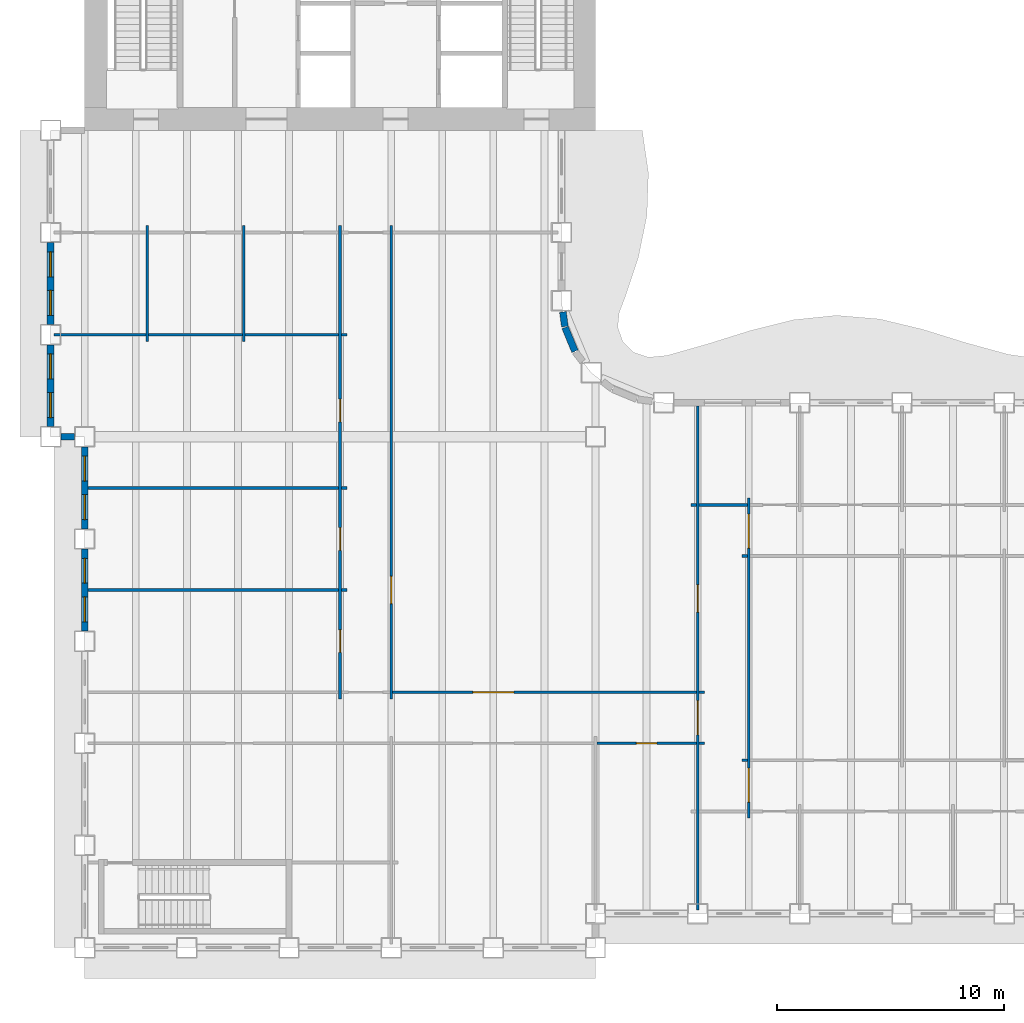
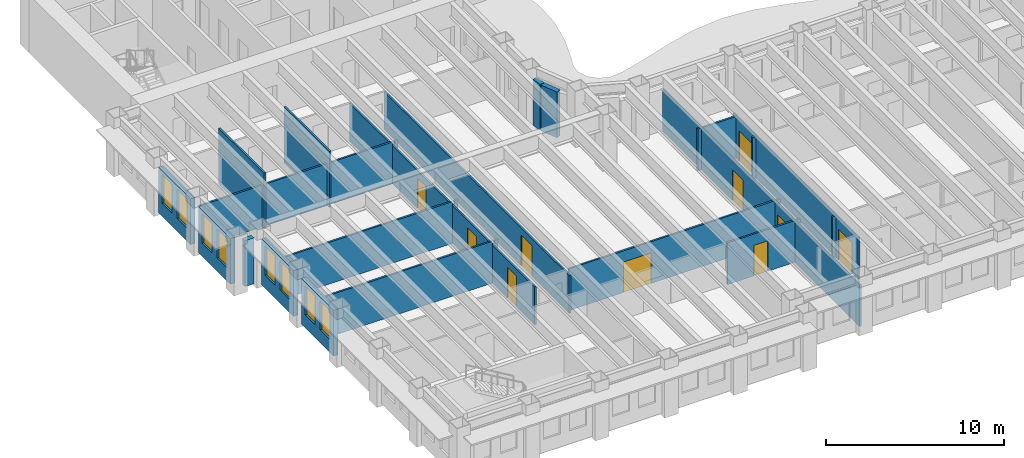
# One storey, part 4 of 16: 29 walls, 10 doors, 8 windows, 18 openings.
"""IFC4 building model written with IfcOpenShell, lengths in metres."""

from ifc_helpers import new_model, si_unit, direction, frame, frame_2d, origin, place, context, subcontext, project, spatial, rectangle, extrude, material, layer, layer_set, type_object, element, fill, save


model = new_model("IFC4")

# Units and contexts
model_context = context("Model", 3, precision=1e-05, world=origin(), true_north=direction((0.0, 1.0)))
body_context = subcontext(model_context, "Body", "Model", "MODEL_VIEW")
ifc_project = project(units=[si_unit("LENGTHUNIT", "METRE"), si_unit("AREAUNIT", "SQUARE_METRE"), si_unit("VOLUMEUNIT", "CUBIC_METRE"), si_unit("PLANEANGLEUNIT", "RADIAN"), si_unit("MASSUNIT", "GRAM", prefix="KILO")], contexts=[model_context])

# Site, building, storey
site_placement = place(None, origin())
site = spatial("IfcSite", under=ifc_project, at=site_placement, CompositionType="ELEMENT")
building_placement = place(site_placement, origin())
building = spatial("IfcBuilding", under=site, at=building_placement, Name="Sennacour Bend Tower", CompositionType="ELEMENT")
storey_placement = place(building_placement, frame((0.0, 0.0, 179.0)))
storey = spatial("IfcBuildingStorey", under=building, at=storey_placement, Name="L41", CompositionType="ELEMENT", Elevation=179.0)

# Walls
ifc_material_1 = material(Name="Plasterboard partition on steel studs", Category="steel")
ifc_layer_1 = layer(ifc_material_1, 0.1201171875, Name="Plasterboard partition on steel studs", Category="steel")
ifc_layer_set_1 = layer_set([ifc_layer_1], Name="Plasterboard partition on steel studs")
wall_type_1 = type_object("IfcWallType", Name="Partition 120", PredefinedType="PARTITIONING", material=ifc_layer_set_1)
for number, where, z_axis, x_axis, name in (
    (1, (2.75, 26.699951171875, 0.0), (0.0, 0.0, 1.0), (0.0, 1.0, 0.0), "P-L41-W005a"),
    (2, (7.0, 26.699951171875, 0.0), (0.0, 0.0, 1.0), (0.0, 1.0, 0.0), "P-L41-W009a"),
):
    element("IfcWall", number, at=place(storey_placement, frame(where, z_axis=z_axis, x_axis=x_axis)), inside=storey, type_object=wall_type_1, Name=name, PredefinedType="PARTITIONING", context=body_context, shape_type="SweptSolid", body=[
        extrude(rectangle(XDim=5.10009765625, YDim=0.1201171875, at=frame_2d((2.550048828125, 0.0))), origin(), (0.0, 0.0, 1.0), 3.85009765625),
    ])

# Wall, openings, doors
wall_1_placement = place(storey_placement, frame((11.25, 10.949951171875, 0.0), z_axis=(0.0, 0.0, 1.0), x_axis=(0.0, 1.0, 0.0)))
wall_1 = element("IfcWall", 3, at=wall_1_placement, inside=storey, type_object=wall_type_1, Name="P-L41-W013a", PredefinedType="PARTITIONING", context=body_context, shape_type="SweptSolid", body=[
    extrude(rectangle(XDim=20.85009765625, YDim=0.1201171875, at=frame_2d((10.425048828125, 0.0))), origin(), (0.0, 0.0, 1.0), 2.60009765625),
])
opening_1_placement = place(wall_1_placement, frame((2.050048828125, 0.0, 0.0)))
opening_1 = element("IfcOpeningElement", 4, at=opening_1_placement, cuts=wall_1, Name="Opening OD2", PredefinedType="OPENING", context=body_context, shape_type="SweptSolid", body=[
    extrude(rectangle(XDim=1.0, YDim=2.10009765625, at=frame_2d((0.5, 1.050048828125))), frame((0.0, 0.070068359375, 0.0), z_axis=(0.0, -1.0, 0.0), x_axis=(1.0, 0.0, 0.0)), (0.0, 0.0, 1.0), 0.14013671875),
])
opening_2_placement = place(wall_1_placement, frame((6.550048828125, 0.0, 0.0)))
opening_2 = element("IfcOpeningElement", 5, at=opening_2_placement, cuts=wall_1, Name="Opening OD2", PredefinedType="OPENING", context=body_context, shape_type="SweptSolid", body=[
    extrude(rectangle(XDim=1.0, YDim=2.10009765625, at=frame_2d((0.5, 1.050048828125))), frame((0.0, 0.070068359375, 0.0), z_axis=(0.0, -1.0, 0.0), x_axis=(1.0, 0.0, 0.0)), (0.0, 0.0, 1.0), 0.14013671875),
])
opening_3_placement = place(wall_1_placement, frame((12.205078125, 0.0, 0.0)))
opening_3 = element("IfcOpeningElement", 6, at=opening_3_placement, cuts=wall_1, Name="Opening OD2", PredefinedType="OPENING", context=body_context, shape_type="SweptSolid", body=[
    extrude(rectangle(XDim=1.0, YDim=2.10009765625, at=frame_2d((0.5, 1.050048828125))), frame((0.0, 0.070068359375, 0.0), z_axis=(0.0, -1.0, 0.0), x_axis=(1.0, 0.0, 0.0)), (0.0, 0.0, 1.0), 0.14013671875),
])
ifc_material_2 = material(Name="Timber", Category="wood")
door_type_1 = type_object("IfcDoorType", Name="DR-OFFICE-1000", OperationType="NOTDEFINED", PredefinedType="DOOR", material=ifc_material_2)
door_1_placement = place(opening_1_placement, origin())
door_1 = element("IfcDoor", 7, at=door_1_placement, inside=storey, type_object=door_type_1, Name="Door", OperationType="SINGLE_SWING_LEFT", OverallHeight=2.10009765625, OverallWidth=1.0, PredefinedType="DOOR", context=body_context, shape_type="SweptSolid", body=[
    extrude(rectangle(XDim=1.0, YDim=2.10009765625, at=frame_2d((0.5, 1.050048828125))), frame((0.0, 0.02490234375, 0.0), z_axis=(0.0, -1.0, 0.0), x_axis=(1.0, 0.0, 0.0)), (0.0, 0.0, 1.0), 0.050048828125),
])
fill(opening_1, door_1)
door_2_placement = place(opening_2_placement, origin())
door_2 = element("IfcDoor", 8, at=door_2_placement, inside=storey, type_object=door_type_1, Name="Door", OperationType="SINGLE_SWING_LEFT", OverallHeight=2.10009765625, OverallWidth=1.0, PredefinedType="DOOR", context=body_context, shape_type="SweptSolid", body=[
    extrude(rectangle(XDim=1.0, YDim=2.10009765625, at=frame_2d((0.5, 1.050048828125))), frame((0.0, 0.02490234375, 0.0), z_axis=(0.0, -1.0, 0.0), x_axis=(1.0, 0.0, 0.0)), (0.0, 0.0, 1.0), 0.050048828125),
])
fill(opening_2, door_2)
door_3_placement = place(opening_3_placement, origin())
door_3 = element("IfcDoor", 9, at=door_3_placement, inside=storey, type_object=door_type_1, Name="Door", OperationType="SINGLE_SWING_RIGHT", OverallHeight=2.10009765625, OverallWidth=1.0, PredefinedType="DOOR", context=body_context, shape_type="SweptSolid", body=[
    extrude(rectangle(XDim=1.0, YDim=2.10009765625, at=frame_2d((0.5, 1.050048828125))), frame((0.0, 0.02490234375, 0.0), z_axis=(0.0, -1.0, 0.0), x_axis=(1.0, 0.0, 0.0)), (0.0, 0.0, 1.0), 0.050048828125),
])
fill(opening_3, door_3)

# Wall, opening, door
wall_2_placement = place(storey_placement, frame((13.5, 10.949951171875, 0.0), z_axis=(0.0, 0.0, 1.0), x_axis=(0.0, 1.0, 0.0)))
wall_2 = element("IfcWall", 10, at=wall_2_placement, inside=storey, type_object=wall_type_1, Name="P-L41-W017a", PredefinedType="PARTITIONING", context=body_context, shape_type="SweptSolid", body=[
    extrude(rectangle(XDim=20.85009765625, YDim=0.1201171875, at=frame_2d((10.425048828125, 0.0))), origin(), (0.0, 0.0, 1.0), 2.60009765625),
])
opening_4_placement = place(wall_2_placement, frame((4.199951171875, 0.0, 0.0)))
opening_4 = element("IfcOpeningElement", 11, at=opening_4_placement, cuts=wall_2, Name="Opening OD", PredefinedType="OPENING", context=body_context, shape_type="SweptSolid", body=[
    extrude(rectangle(XDim=1.199951171875, YDim=2.10009765625, at=frame_2d((0.60009765625, 1.050048828125))), frame((0.0, 0.070068359375, 0.0), z_axis=(0.0, -1.0, 0.0), x_axis=(1.0, 0.0, 0.0)), (0.0, 0.0, 1.0), 0.14013671875),
])
door_type_2 = type_object("IfcDoorType", Name="DR-OFFICE-1200", OperationType="NOTDEFINED", PredefinedType="DOOR", material=ifc_material_2)
door_4_placement = place(opening_4_placement, origin())
door_4 = element("IfcDoor", 12, at=door_4_placement, inside=storey, type_object=door_type_2, Name="Door", OperationType="SINGLE_SWING_LEFT", OverallHeight=2.10009765625, OverallWidth=1.199951171875, PredefinedType="DOOR", context=body_context, shape_type="SweptSolid", body=[
    extrude(rectangle(XDim=1.199951171875, YDim=2.10009765625, at=frame_2d((0.60009765625, 1.050048828125))), frame((0.0, 0.02490234375, 0.0), z_axis=(0.0, -1.0, 0.0), x_axis=(1.0, 0.0, 0.0)), (0.0, 0.0, 1.0), 0.050048828125),
])
fill(opening_4, door_4)

# Walls
for number, where, z_axis, x_axis, name in (
    (13, (28.949951171875, 8.25, 0.0), (0.0, 0.0, 1.0), (1.0, 0.0, 0.0), "P-L41-W063aa"),
    (14, (27.06005859375, 9.0, 0.0), (0.0, 0.0, 1.0), (1.0, 0.0, 0.0), "P-L41-W064ad"),
):
    element("IfcWall", number, at=place(storey_placement, frame(where, z_axis=z_axis, x_axis=x_axis)), inside=storey, type_object=wall_type_1, Name=name, PredefinedType="PARTITIONING", context=body_context, shape_type="SweptSolid", body=[
        extrude(rectangle(XDim=0.239990234375, YDim=0.1201171875, at=frame_2d((0.1201171875, 0.0))), origin(), (0.0, 0.0, 1.0), 2.8701171875),
    ])

# Wall, opening, door
wall_3_placement = place(storey_placement, frame((13.56005859375, 11.25, 0.0), z_axis=(0.0, 0.0, 1.0), x_axis=(1.0, 0.0, 0.0)))
wall_3 = element("IfcWall", 15, at=wall_3_placement, inside=storey, type_object=wall_type_1, Name="P-L41-W067ac", PredefinedType="PARTITIONING", context=body_context, shape_type="SweptSolid", body=[
    extrude(rectangle(XDim=13.3798828125, YDim=0.1201171875, at=frame_2d((6.68994140625, 0.0))), origin(), (0.0, 0.0, 1.0), 2.8701171875),
])
opening_5_placement = place(wall_3_placement, frame((3.539794921875, 0.0, 0.0)))
opening_5 = element("IfcOpeningElement", 16, at=opening_5_placement, cuts=wall_3, Name="Opening OD3", PredefinedType="OPENING", context=body_context, shape_type="SweptSolid", body=[
    extrude(rectangle(XDim=1.800048828125, YDim=2.10009765625, at=frame_2d((0.89990234375, 1.050048828125))), frame((0.0, 0.070068359375, 0.0), z_axis=(0.0, -1.0, 0.0), x_axis=(1.0, 0.0, 0.0)), (0.0, 0.0, 1.0), 0.14013671875),
])
door_type_3 = type_object("IfcDoorType", Name="DR-OFFICE-1800", OperationType="NOTDEFINED", PredefinedType="DOOR", material=ifc_material_2)
door_5_placement = place(opening_5_placement, origin())
door_5 = element("IfcDoor", 17, at=door_5_placement, inside=storey, type_object=door_type_3, Name="Door", OperationType="DOUBLE_DOOR_SINGLE_SWING", OverallHeight=2.10009765625, OverallWidth=1.800048828125, PredefinedType="DOOR", context=body_context, shape_type="SweptSolid", body=[
    extrude(rectangle(XDim=1.800048828125, YDim=2.10009765625, at=frame_2d((0.89990234375, 1.050048828125))), frame((0.0, 0.02490234375, 0.0), z_axis=(0.0, -1.0, 0.0), x_axis=(1.0, 0.0, 0.0)), (0.0, 0.0, 1.0), 0.050048828125),
])
fill(opening_5, door_5)

# Walls
wall_4_placement = place(storey_placement, frame((27.06005859375, 11.25, 0.0), z_axis=(0.0, 0.0, 1.0), x_axis=(1.0, 0.0, 0.0)))
element("IfcWall", 18, at=wall_4_placement, inside=storey, type_object=wall_type_1, Name="P-L41-W067ad", PredefinedType="PARTITIONING", context=body_context, shape_type="SweptSolid", body=[
    extrude(rectangle(XDim=0.239990234375, YDim=0.1201171875, at=frame_2d((0.1201171875, 0.0))), origin(), (0.0, 0.0, 1.0), 2.8701171875),
])
wall_5_placement = place(storey_placement, frame((0.14990234375, 15.75, 0.0), z_axis=(0.0, 0.0, 1.0), x_axis=(1.0, 0.0, 0.0)))
element("IfcWall", 19, at=wall_5_placement, inside=storey, type_object=wall_type_1, Name="P-L41-W074aa", PredefinedType="PARTITIONING", context=body_context, shape_type="SweptSolid", body=[
    extrude(rectangle(XDim=11.0400390625, YDim=0.1201171875, at=frame_2d((5.52001953125, 0.0))), origin(), (0.0, 0.0, 1.0), 2.8701171875),
])
for number, where, z_axis, x_axis, name in (
    (20, (11.31005859375, 15.75, 0.0), (0.0, 0.0, 1.0), (1.0, 0.0, 0.0), "P-L41-W074ab"),
    (21, (28.949951171875, 17.25, 0.0), (0.0, 0.0, 1.0), (1.0, 0.0, 0.0), "P-L41-W075aa"),
    (22, (26.699951171875, 19.5, 0.0), (0.0, 0.0, 1.0), (1.0, 0.0, 0.0), "P-L41-W079aa"),
):
    element("IfcWall", number, at=place(storey_placement, frame(where, z_axis=z_axis, x_axis=x_axis)), inside=storey, type_object=wall_type_1, Name=name, PredefinedType="PARTITIONING", context=body_context, shape_type="SweptSolid", body=[
        extrude(rectangle(XDim=0.239990234375, YDim=0.1201171875, at=frame_2d((0.1201171875, 0.0))), origin(), (0.0, 0.0, 1.0), 2.8701171875),
    ])
wall_6_placement = place(storey_placement, frame((27.06005859375, 19.5, 0.0), z_axis=(0.0, 0.0, 1.0), x_axis=(1.0, 0.0, 0.0)))
element("IfcWall", 23, at=wall_6_placement, inside=storey, type_object=wall_type_1, Name="P-L41-W079ab", PredefinedType="PARTITIONING", context=body_context, shape_type="SweptSolid", body=[
    extrude(rectangle(XDim=2.1298828125, YDim=0.1201171875, at=frame_2d((1.06494140625, 0.0))), origin(), (0.0, 0.0, 1.0), 2.8701171875),
])
wall_7_placement = place(storey_placement, frame((0.14990234375, 20.25, 0.0), z_axis=(0.0, 0.0, 1.0), x_axis=(1.0, 0.0, 0.0)))
element("IfcWall", 24, at=wall_7_placement, inside=storey, type_object=wall_type_1, Name="P-L41-W081aa", PredefinedType="PARTITIONING", context=body_context, shape_type="SweptSolid", body=[
    extrude(rectangle(XDim=11.0400390625, YDim=0.1201171875, at=frame_2d((5.52001953125, 0.0))), origin(), (0.0, 0.0, 1.0), 2.8701171875),
])
wall_8_placement = place(storey_placement, frame((11.31005859375, 20.25, 0.0), z_axis=(0.0, 0.0, 1.0), x_axis=(1.0, 0.0, 0.0)))
element("IfcWall", 25, at=wall_8_placement, inside=storey, type_object=wall_type_1, Name="P-L41-W081ab", PredefinedType="PARTITIONING", context=body_context, shape_type="SweptSolid", body=[
    extrude(rectangle(XDim=0.239990234375, YDim=0.1201171875, at=frame_2d((0.1201171875, 0.0))), origin(), (0.0, 0.0, 1.0), 2.8701171875),
])
wall_9_placement = place(storey_placement, frame((-1.35009765625, 27.0, 0.0), z_axis=(0.0, 0.0, 1.0), x_axis=(1.0, 0.0, 0.0)))
element("IfcWall", 26, at=wall_9_placement, inside=storey, type_object=wall_type_1, Name="P-L41-W083aa", PredefinedType="PARTITIONING", context=body_context, shape_type="SweptSolid", body=[
    extrude(rectangle(XDim=4.0400390625, YDim=0.1201171875, at=frame_2d((2.02001953125, 0.0))), origin(), (0.0, 0.0, 1.0), 2.8701171875),
])
for number, where, z_axis, x_axis, name in (
    (27, (2.81005859375, 27.0, 0.0), (0.0, 0.0, 1.0), (1.0, 0.0, 0.0), "P-L41-W083ab"),
    (28, (7.06005859375, 27.0, 0.0), (0.0, 0.0, 1.0), (1.0, 0.0, 0.0), "P-L41-W083ac"),
):
    element("IfcWall", number, at=place(storey_placement, frame(where, z_axis=z_axis, x_axis=x_axis)), inside=storey, type_object=wall_type_1, Name=name, PredefinedType="PARTITIONING", context=body_context, shape_type="SweptSolid", body=[
        extrude(rectangle(XDim=4.1298828125, YDim=0.1201171875, at=frame_2d((2.06494140625, 0.0))), origin(), (0.0, 0.0, 1.0), 2.8701171875),
    ])
wall_10_placement = place(storey_placement, frame((11.31005859375, 27.0, 0.0), z_axis=(0.0, 0.0, 1.0), x_axis=(1.0, 0.0, 0.0)))
element("IfcWall", 29, at=wall_10_placement, inside=storey, type_object=wall_type_1, Name="P-L41-W083ad", PredefinedType="PARTITIONING", context=body_context, shape_type="SweptSolid", body=[
    extrude(rectangle(XDim=0.239990234375, YDim=0.1201171875, at=frame_2d((0.1201171875, 0.0))), origin(), (0.0, 0.0, 1.0), 2.8701171875),
])

# Wall, openings, doors
ifc_layer_2 = layer(ifc_material_1, 0.1201171875, Name="Plasterboard partition on steel studs", Category="steel")
ifc_layer_set_2 = layer_set([ifc_layer_2], Name="Plasterboard partition on steel studs")
wall_type_2 = type_object("IfcWallType", Name="Partition 120 EI 30", PredefinedType="PARTITIONING", material=ifc_layer_set_2)
wall_11_placement = place(storey_placement, frame((27.0, 1.64990234375, 0.0), z_axis=(0.0, 0.0, 1.0), x_axis=(0.0, 1.0, 0.0)))
wall_11 = element("IfcWall", 30, at=wall_11_placement, inside=storey, type_object=wall_type_2, Name="P-L41-W026a", PredefinedType="PARTITIONING", context=body_context, shape_type="SweptSolid", body=[
    extrude(rectangle(XDim=22.2001953125, YDim=0.1201171875, at=frame_2d((11.10009765625, 0.0))), origin(), (0.0, 0.0, 1.0), 2.8701171875),
])
opening_6_placement = place(wall_11_placement, frame((7.72509765625, 0.0, 0.0)))
opening_6 = element("IfcOpeningElement", 31, at=opening_6_placement, cuts=wall_11, Name="Opening KD", PredefinedType="OPENING", context=body_context, shape_type="SweptSolid", body=[
    extrude(rectangle(XDim=1.5, YDim=2.10009765625, at=frame_2d((0.75, 1.050048828125))), frame((0.0, 0.070068359375, 0.0), z_axis=(0.0, -1.0, 0.0), x_axis=(1.0, 0.0, 0.0)), (0.0, 0.0, 1.0), 0.14013671875),
])
opening_7_placement = place(wall_11_placement, frame((13.125, 0.0, 0.0)))
opening_7 = element("IfcOpeningElement", 32, at=opening_7_placement, cuts=wall_11, Name="Opening OD", PredefinedType="OPENING", context=body_context, shape_type="SweptSolid", body=[
    extrude(rectangle(XDim=1.199951171875, YDim=2.10009765625, at=frame_2d((0.60009765625, 1.050048828125))), frame((0.0, 0.070068359375, 0.0), z_axis=(0.0, -1.0, 0.0), x_axis=(1.0, 0.0, 0.0)), (0.0, 0.0, 1.0), 0.14013671875),
])
ifc_material_3 = material(Name="Painted steel", Category="steel")
door_type_4 = type_object("IfcDoorType", Name="DR-CORRIDOR-1500", OperationType="NOTDEFINED", PredefinedType="DOOR", material=ifc_material_3)
door_6_placement = place(opening_6_placement, origin())
door_6 = element("IfcDoor", 33, at=door_6_placement, inside=storey, type_object=door_type_4, Name="Door", OperationType="SINGLE_SWING_LEFT", OverallHeight=2.10009765625, OverallWidth=1.5, PredefinedType="DOOR", context=body_context, shape_type="SweptSolid", body=[
    extrude(rectangle(XDim=1.5, YDim=2.10009765625, at=frame_2d((0.75, 1.050048828125))), frame((0.0, 0.02490234375, 0.0), z_axis=(0.0, -1.0, 0.0), x_axis=(1.0, 0.0, 0.0)), (0.0, 0.0, 1.0), 0.050048828125),
])
fill(opening_6, door_6)
door_7_placement = place(opening_7_placement, origin())
door_7 = element("IfcDoor", 34, at=door_7_placement, inside=storey, type_object=door_type_2, Name="Door", OperationType="SINGLE_SWING_RIGHT", OverallHeight=2.10009765625, OverallWidth=1.199951171875, PredefinedType="DOOR", context=body_context, shape_type="SweptSolid", body=[
    extrude(rectangle(XDim=1.199951171875, YDim=2.10009765625, at=frame_2d((0.60009765625, 1.050048828125))), frame((0.0, 0.02490234375, 0.0), z_axis=(0.0, -1.0, 0.0), x_axis=(1.0, 0.0, 0.0)), (0.0, 0.0, 1.0), 0.050048828125),
])
fill(opening_7, door_7)

wall_12_placement = place(storey_placement, frame((29.25, 5.699951171875, 0.0), z_axis=(0.0, 0.0, 1.0), x_axis=(0.0, 1.0, 0.0)))
wall_12 = element("IfcWall", 35, at=wall_12_placement, inside=storey, type_object=wall_type_2, Name="P-L41-W027a", PredefinedType="PARTITIONING", context=body_context, shape_type="SweptSolid", body=[
    extrude(rectangle(XDim=14.10009765625, YDim=0.1201171875, at=frame_2d((7.050048828125, 0.0))), origin(), (0.0, 0.0, 1.0), 2.8701171875),
])
opening_8_placement = place(wall_12_placement, frame((0.705078125, 0.0, 0.0)))
opening_8 = element("IfcOpeningElement", 36, at=opening_8_placement, cuts=wall_12, Name="Opening KD", PredefinedType="OPENING", context=body_context, shape_type="SweptSolid", body=[
    extrude(rectangle(XDim=1.5, YDim=2.10009765625, at=frame_2d((0.75, 1.050048828125))), frame((0.0, 0.070068359375, 0.0), z_axis=(0.0, -1.0, 0.0), x_axis=(1.0, 0.0, 0.0)), (0.0, 0.0, 1.0), 0.14013671875),
])
opening_9_placement = place(wall_12_placement, frame((11.89501953125, 0.0, 0.0)))
opening_9 = element("IfcOpeningElement", 37, at=opening_9_placement, cuts=wall_12, Name="Opening KD", PredefinedType="OPENING", context=body_context, shape_type="SweptSolid", body=[
    extrude(rectangle(XDim=1.5, YDim=2.10009765625, at=frame_2d((0.75, 1.050048828125))), frame((0.0, 0.070068359375, 0.0), z_axis=(0.0, -1.0, 0.0), x_axis=(1.0, 0.0, 0.0)), (0.0, 0.0, 1.0), 0.14013671875),
])
door_8_placement = place(opening_8_placement, origin())
door_8 = element("IfcDoor", 38, at=door_8_placement, inside=storey, type_object=door_type_4, Name="Door", OperationType="SINGLE_SWING_LEFT", OverallHeight=2.10009765625, OverallWidth=1.5, PredefinedType="DOOR", context=body_context, shape_type="SweptSolid", body=[
    extrude(rectangle(XDim=1.5, YDim=2.10009765625, at=frame_2d((0.75, 1.050048828125))), frame((0.0, 0.02490234375, 0.0), z_axis=(0.0, -1.0, 0.0), x_axis=(1.0, 0.0, 0.0)), (0.0, 0.0, 1.0), 0.050048828125),
])
fill(opening_8, door_8)
door_9_placement = place(opening_9_placement, origin())
door_9 = element("IfcDoor", 39, at=door_9_placement, inside=storey, type_object=door_type_4, Name="Door", OperationType="SINGLE_SWING_RIGHT", OverallHeight=2.10009765625, OverallWidth=1.5, PredefinedType="DOOR", context=body_context, shape_type="SweptSolid", body=[
    extrude(rectangle(XDim=1.5, YDim=2.10009765625, at=frame_2d((0.75, 1.050048828125))), frame((0.0, 0.02490234375, 0.0), z_axis=(0.0, -1.0, 0.0), x_axis=(1.0, 0.0, 0.0)), (0.0, 0.0, 1.0), 0.050048828125),
])
fill(opening_9, door_9)

# Wall, opening, door
ifc_layer_3 = layer(ifc_material_1, 0.1201171875, Name="Plasterboard partition on steel studs", Category="steel")
ifc_layer_set_3 = layer_set([ifc_layer_3], Name="Plasterboard partition on steel studs")
wall_type_3 = type_object("IfcWallType", Name="Partition 120 EI 60", PredefinedType="PARTITIONING", material=ifc_layer_set_3)
wall_13_placement = place(storey_placement, frame((22.56005859375, 9.0, 0.0), z_axis=(0.0, 0.0, 1.0), x_axis=(1.0, 0.0, 0.0)))
wall_13 = element("IfcWall", 40, at=wall_13_placement, inside=storey, type_object=wall_type_3, Name="P-L41-W064ac", PredefinedType="PARTITIONING", context=body_context, shape_type="SweptSolid", body=[
    extrude(rectangle(XDim=4.3798828125, YDim=0.1201171875, at=frame_2d((2.18994140625, 0.0))), origin(), (0.0, 0.0, 1.0), 2.8701171875),
])
opening_10_placement = place(wall_13_placement, frame((1.739990234375, 0.0, 0.0)))
opening_10 = element("IfcOpeningElement", 41, at=opening_10_placement, cuts=wall_13, Name="Opening SV", PredefinedType="OPENING", context=body_context, shape_type="SweptSolid", body=[
    extrude(rectangle(XDim=0.89990234375, YDim=2.10009765625, at=frame_2d((0.449951171875, 1.050048828125))), frame((0.0, 0.070068359375, 0.0), z_axis=(0.0, -1.0, 0.0), x_axis=(1.0, 0.0, 0.0)), (0.0, 0.0, 1.0), 0.14013671875),
])
door_type_5 = type_object("IfcDoorType", Name="DR-SERVICE-900", OperationType="NOTDEFINED", PredefinedType="DOOR", material=ifc_material_3)
door_10_placement = place(opening_10_placement, origin())
door_10 = element("IfcDoor", 42, at=door_10_placement, inside=storey, type_object=door_type_5, Name="Door", OperationType="SINGLE_SWING_LEFT", OverallHeight=2.10009765625, OverallWidth=0.89990234375, PredefinedType="DOOR", context=body_context, shape_type="SweptSolid", body=[
    extrude(rectangle(XDim=0.89990234375, YDim=2.10009765625, at=frame_2d((0.449951171875, 1.050048828125))), frame((0.0, 0.02490234375, 0.0), z_axis=(0.0, -1.0, 0.0), x_axis=(1.0, 0.0, 0.0)), (0.0, 0.0, 1.0), 0.050048828125),
])
fill(opening_10, door_10)

# Walls
ifc_material_4 = material(Name="Warm limestone cladding", Category="masonry")
ifc_layer_4 = layer(ifc_material_4, 0.050048828125, Name="Warm limestone cladding", Category="masonry")
ifc_material_5 = material(Name="Precast concrete C40/50", Category="concrete")
ifc_layer_5 = layer(ifc_material_5, 0.25, Name="Precast concrete C40/50", Category="concrete")
ifc_layer_set_4 = layer_set([ifc_layer_4, ifc_layer_5], Name="Precast concrete C40/50 with limestone cladding")
wall_type_4 = type_object("IfcWallType", Name="STONE-CLAD PRECAST SPANDREL 300", PredefinedType="STANDARD", material=ifc_layer_set_4)
wall_14_placement = place(storey_placement, frame((21.59521484375, 26.268310546875, 0.0), z_axis=(0.0, 0.0, 1.0), x_axis=(-0.382598720491, 0.923914616768, 0.0)))
element("IfcWall", 43, at=wall_14_placement, inside=storey, type_object=wall_type_4, Name="Stone spandrel and pier wall L41 13.00", PredefinedType="STANDARD", context=body_context, shape_type="SweptSolid", body=[
    extrude(rectangle(XDim=1.13525390625, YDim=0.300048828125, at=frame_2d((0.567626953125, 0.0))), origin(), (0.0, 0.0, 1.0), 3.14892578125),
])
wall_15_placement = place(storey_placement, frame((21.15087890625, 27.35498046875, 0.0), z_axis=(0.0, 0.0, 1.0), x_axis=(-0.130687655177, 0.991423590996, 0.0)))
element("IfcWall", 44, at=wall_15_placement, inside=storey, type_object=wall_type_4, Name="Stone spandrel and pier wall L41 14.00", PredefinedType="STANDARD", context=body_context, shape_type="SweptSolid", body=[
    extrude(rectangle(XDim=0.650146484375, YDim=0.300048828125, at=frame_2d((0.3251953125, 0.0))), origin(), (0.0, 0.0, 1.0), 3.14892578125),
])

# Wall, openings, windows
wall_16_placement = place(storey_placement, frame((-1.5, 31.050048828125, 0.0), z_axis=(0.0, 0.0, 1.0), x_axis=(0.0, -1.0, 0.0)))
wall_16 = element("IfcWall", 45, at=wall_16_placement, inside=storey, type_object=wall_type_4, Name="Stone spandrel and pier wall L41 21.01", PredefinedType="STANDARD", context=body_context, shape_type="SweptSolid", body=[
    extrude(rectangle(XDim=3.60009765625, YDim=0.300048828125, at=frame_2d((1.800048828125, 0.0))), origin(), (0.0, 0.0, 1.0), 3.14892578125),
])
opening_11_placement = place(wall_16_placement, frame((0.39990234375, 0.0, 0.89990234375)))
opening_11 = element("IfcOpeningElement", 46, at=opening_11_placement, cuts=wall_16, Name="Opening W19", PredefinedType="OPENING", context=body_context, shape_type="SweptSolid", body=[
    extrude(rectangle(XDim=1.10009765625, YDim=2.0, at=frame_2d((0.550048828125, 1.0))), frame((0.0, 0.16015625, 0.0), z_axis=(0.0, -1.0, 0.0), x_axis=(1.0, 0.0, 0.0)), (0.0, 0.0, 1.0), 0.320068359375),
])
opening_12_placement = place(wall_16_placement, frame((2.10009765625, 0.0, 0.89990234375)))
opening_12 = element("IfcOpeningElement", 47, at=opening_12_placement, cuts=wall_16, Name="Opening W19", PredefinedType="OPENING", context=body_context, shape_type="SweptSolid", body=[
    extrude(rectangle(XDim=1.10009765625, YDim=2.0, at=frame_2d((0.550048828125, 1.0))), frame((0.0, 0.16015625, 0.0), z_axis=(0.0, -1.0, 0.0), x_axis=(1.0, 0.0, 0.0)), (0.0, 0.0, 1.0), 0.320068359375),
])
ifc_material_6 = material(Name="Clear low-emissivity glass", Category="glass")
window_type = type_object("IfcWindowType", Name="WIN-RIBBON-1100x2000", PartitioningType="SINGLE_PANEL", PredefinedType="WINDOW", material=ifc_material_6)
window_1_placement = place(opening_11_placement, origin())
window_1 = element("IfcWindow", 48, at=window_1_placement, inside=storey, type_object=window_type, Name="Ribbon window L41 21.01.0", OverallHeight=2.0, OverallWidth=1.10009765625, PartitioningType="SINGLE_PANEL", PredefinedType="WINDOW", context=body_context, shape_type="SweptSolid", body=[
    extrude(rectangle(XDim=1.10009765625, YDim=2.0, at=frame_2d((0.550048828125, 1.0))), frame((0.0, 0.030029296875, 0.0), z_axis=(0.0, -1.0, 0.0), x_axis=(1.0, 0.0, 0.0)), (0.0, 0.0, 1.0), 0.06005859375),
])
fill(opening_11, window_1)
window_2_placement = place(opening_12_placement, origin())
window_2 = element("IfcWindow", 49, at=window_2_placement, inside=storey, type_object=window_type, Name="Ribbon window L41 21.01.1", OverallHeight=2.0, OverallWidth=1.10009765625, PartitioningType="SINGLE_PANEL", PredefinedType="WINDOW", context=body_context, shape_type="SweptSolid", body=[
    extrude(rectangle(XDim=1.10009765625, YDim=2.0, at=frame_2d((0.550048828125, 1.0))), frame((0.0, 0.030029296875, 0.0), z_axis=(0.0, -1.0, 0.0), x_axis=(1.0, 0.0, 0.0)), (0.0, 0.0, 1.0), 0.06005859375),
])
fill(opening_12, window_2)

wall_17_placement = place(storey_placement, frame((-1.5, 26.550048828125, 0.0), z_axis=(0.0, 0.0, 1.0), x_axis=(0.0, -1.0, 0.0)))
wall_17 = element("IfcWall", 50, at=wall_17_placement, inside=storey, type_object=wall_type_4, Name="Stone spandrel and pier wall L41 21.02", PredefinedType="STANDARD", context=body_context, shape_type="SweptSolid", body=[
    extrude(rectangle(XDim=3.60009765625, YDim=0.300048828125, at=frame_2d((1.800048828125, 0.0))), origin(), (0.0, 0.0, 1.0), 3.14892578125),
])
opening_13_placement = place(wall_17_placement, frame((0.39990234375, 0.0, 0.89990234375)))
opening_13 = element("IfcOpeningElement", 51, at=opening_13_placement, cuts=wall_17, Name="Opening W19", PredefinedType="OPENING", context=body_context, shape_type="SweptSolid", body=[
    extrude(rectangle(XDim=1.10009765625, YDim=2.0, at=frame_2d((0.550048828125, 1.0))), frame((0.0, 0.16015625, 0.0), z_axis=(0.0, -1.0, 0.0), x_axis=(1.0, 0.0, 0.0)), (0.0, 0.0, 1.0), 0.320068359375),
])
opening_14_placement = place(wall_17_placement, frame((2.10009765625, 0.0, 0.89990234375)))
opening_14 = element("IfcOpeningElement", 52, at=opening_14_placement, cuts=wall_17, Name="Opening W19", PredefinedType="OPENING", context=body_context, shape_type="SweptSolid", body=[
    extrude(rectangle(XDim=1.10009765625, YDim=2.0, at=frame_2d((0.550048828125, 1.0))), frame((0.0, 0.16015625, 0.0), z_axis=(0.0, -1.0, 0.0), x_axis=(1.0, 0.0, 0.0)), (0.0, 0.0, 1.0), 0.320068359375),
])
window_3_placement = place(opening_13_placement, origin())
window_3 = element("IfcWindow", 53, at=window_3_placement, inside=storey, type_object=window_type, Name="Ribbon window L41 21.02.0", OverallHeight=2.0, OverallWidth=1.10009765625, PartitioningType="SINGLE_PANEL", PredefinedType="WINDOW", context=body_context, shape_type="SweptSolid", body=[
    extrude(rectangle(XDim=1.10009765625, YDim=2.0, at=frame_2d((0.550048828125, 1.0))), frame((0.0, 0.030029296875, 0.0), z_axis=(0.0, -1.0, 0.0), x_axis=(1.0, 0.0, 0.0)), (0.0, 0.0, 1.0), 0.06005859375),
])
fill(opening_13, window_3)
window_4_placement = place(opening_14_placement, origin())
window_4 = element("IfcWindow", 54, at=window_4_placement, inside=storey, type_object=window_type, Name="Ribbon window L41 21.02.1", OverallHeight=2.0, OverallWidth=1.10009765625, PartitioningType="SINGLE_PANEL", PredefinedType="WINDOW", context=body_context, shape_type="SweptSolid", body=[
    extrude(rectangle(XDim=1.10009765625, YDim=2.0, at=frame_2d((0.550048828125, 1.0))), frame((0.0, 0.030029296875, 0.0), z_axis=(0.0, -1.0, 0.0), x_axis=(1.0, 0.0, 0.0)), (0.0, 0.0, 1.0), 0.06005859375),
])
fill(opening_14, window_4)

# Wall
wall_18_placement = place(storey_placement, frame((-1.050048828125, 22.5, 0.0), z_axis=(0.0, 0.0, 1.0), x_axis=(1.0, 0.0, 0.0)))
element("IfcWall", 55, at=wall_18_placement, inside=storey, type_object=wall_type_4, Name="Stone spandrel and pier wall L41 22.00", PredefinedType="STANDARD", context=body_context, shape_type="SweptSolid", body=[
    extrude(rectangle(XDim=0.60009765625, YDim=0.300048828125, at=frame_2d((0.300048828125, 0.0))), origin(), (0.0, 0.0, 1.0), 3.14892578125),
])

# Wall, openings, windows
wall_19_placement = place(storey_placement, frame((0.0, 22.050048828125, 0.0), z_axis=(0.0, 0.0, 1.0), x_axis=(0.0, -1.0, 0.0)))
wall_19 = element("IfcWall", 56, at=wall_19_placement, inside=storey, type_object=wall_type_4, Name="Stone spandrel and pier wall L41 23.00", PredefinedType="STANDARD", context=body_context, shape_type="SweptSolid", body=[
    extrude(rectangle(XDim=3.60009765625, YDim=0.300048828125, at=frame_2d((1.800048828125, 0.0))), origin(), (0.0, 0.0, 1.0), 3.14892578125),
])
opening_15_placement = place(wall_19_placement, frame((0.39990234375, 0.0, 0.89990234375)))
opening_15 = element("IfcOpeningElement", 57, at=opening_15_placement, cuts=wall_19, Name="Opening W19", PredefinedType="OPENING", context=body_context, shape_type="SweptSolid", body=[
    extrude(rectangle(XDim=1.10009765625, YDim=2.0, at=frame_2d((0.550048828125, 1.0))), frame((0.0, 0.16015625, 0.0), z_axis=(0.0, -1.0, 0.0), x_axis=(1.0, 0.0, 0.0)), (0.0, 0.0, 1.0), 0.320068359375),
])
opening_16_placement = place(wall_19_placement, frame((2.10009765625, 0.0, 0.89990234375)))
opening_16 = element("IfcOpeningElement", 58, at=opening_16_placement, cuts=wall_19, Name="Opening W19", PredefinedType="OPENING", context=body_context, shape_type="SweptSolid", body=[
    extrude(rectangle(XDim=1.10009765625, YDim=2.0, at=frame_2d((0.550048828125, 1.0))), frame((0.0, 0.16015625, 0.0), z_axis=(0.0, -1.0, 0.0), x_axis=(1.0, 0.0, 0.0)), (0.0, 0.0, 1.0), 0.320068359375),
])
window_5_placement = place(opening_15_placement, origin())
window_5 = element("IfcWindow", 59, at=window_5_placement, inside=storey, type_object=window_type, Name="Ribbon window L41 23.00.0", OverallHeight=2.0, OverallWidth=1.10009765625, PartitioningType="SINGLE_PANEL", PredefinedType="WINDOW", context=body_context, shape_type="SweptSolid", body=[
    extrude(rectangle(XDim=1.10009765625, YDim=2.0, at=frame_2d((0.550048828125, 1.0))), frame((0.0, 0.030029296875, 0.0), z_axis=(0.0, -1.0, 0.0), x_axis=(1.0, 0.0, 0.0)), (0.0, 0.0, 1.0), 0.06005859375),
])
fill(opening_15, window_5)
window_6_placement = place(opening_16_placement, origin())
window_6 = element("IfcWindow", 60, at=window_6_placement, inside=storey, type_object=window_type, Name="Ribbon window L41 23.00.1", OverallHeight=2.0, OverallWidth=1.10009765625, PartitioningType="SINGLE_PANEL", PredefinedType="WINDOW", context=body_context, shape_type="SweptSolid", body=[
    extrude(rectangle(XDim=1.10009765625, YDim=2.0, at=frame_2d((0.550048828125, 1.0))), frame((0.0, 0.030029296875, 0.0), z_axis=(0.0, -1.0, 0.0), x_axis=(1.0, 0.0, 0.0)), (0.0, 0.0, 1.0), 0.06005859375),
])
fill(opening_16, window_6)

wall_20_placement = place(storey_placement, frame((0.0, 17.550048828125, 0.0), z_axis=(0.0, 0.0, 1.0), x_axis=(0.0, -1.0, 0.0)))
wall_20 = element("IfcWall", 61, at=wall_20_placement, inside=storey, type_object=wall_type_4, Name="Stone spandrel and pier wall L41 23.01", PredefinedType="STANDARD", context=body_context, shape_type="SweptSolid", body=[
    extrude(rectangle(XDim=3.60009765625, YDim=0.300048828125, at=frame_2d((1.800048828125, 0.0))), origin(), (0.0, 0.0, 1.0), 3.14892578125),
])
opening_17_placement = place(wall_20_placement, frame((0.39990234375, 0.0, 0.89990234375)))
opening_17 = element("IfcOpeningElement", 62, at=opening_17_placement, cuts=wall_20, Name="Opening W19", PredefinedType="OPENING", context=body_context, shape_type="SweptSolid", body=[
    extrude(rectangle(XDim=1.10009765625, YDim=2.0, at=frame_2d((0.550048828125, 1.0))), frame((0.0, 0.16015625, 0.0), z_axis=(0.0, -1.0, 0.0), x_axis=(1.0, 0.0, 0.0)), (0.0, 0.0, 1.0), 0.320068359375),
])
opening_18_placement = place(wall_20_placement, frame((2.10009765625, 0.0, 0.89990234375)))
opening_18 = element("IfcOpeningElement", 63, at=opening_18_placement, cuts=wall_20, Name="Opening W19", PredefinedType="OPENING", context=body_context, shape_type="SweptSolid", body=[
    extrude(rectangle(XDim=1.10009765625, YDim=2.0, at=frame_2d((0.550048828125, 1.0))), frame((0.0, 0.16015625, 0.0), z_axis=(0.0, -1.0, 0.0), x_axis=(1.0, 0.0, 0.0)), (0.0, 0.0, 1.0), 0.320068359375),
])
window_7_placement = place(opening_17_placement, origin())
window_7 = element("IfcWindow", 64, at=window_7_placement, inside=storey, type_object=window_type, Name="Ribbon window L41 23.01.0", OverallHeight=2.0, OverallWidth=1.10009765625, PartitioningType="SINGLE_PANEL", PredefinedType="WINDOW", context=body_context, shape_type="SweptSolid", body=[
    extrude(rectangle(XDim=1.10009765625, YDim=2.0, at=frame_2d((0.550048828125, 1.0))), frame((0.0, 0.030029296875, 0.0), z_axis=(0.0, -1.0, 0.0), x_axis=(1.0, 0.0, 0.0)), (0.0, 0.0, 1.0), 0.06005859375),
])
fill(opening_17, window_7)
window_8_placement = place(opening_18_placement, origin())
window_8 = element("IfcWindow", 65, at=window_8_placement, inside=storey, type_object=window_type, Name="Ribbon window L41 23.01.1", OverallHeight=2.0, OverallWidth=1.10009765625, PartitioningType="SINGLE_PANEL", PredefinedType="WINDOW", context=body_context, shape_type="SweptSolid", body=[
    extrude(rectangle(XDim=1.10009765625, YDim=2.0, at=frame_2d((0.550048828125, 1.0))), frame((0.0, 0.030029296875, 0.0), z_axis=(0.0, -1.0, 0.0), x_axis=(1.0, 0.0, 0.0)), (0.0, 0.0, 1.0), 0.06005859375),
])
fill(opening_18, window_8)

save(model, "model.ifc")
